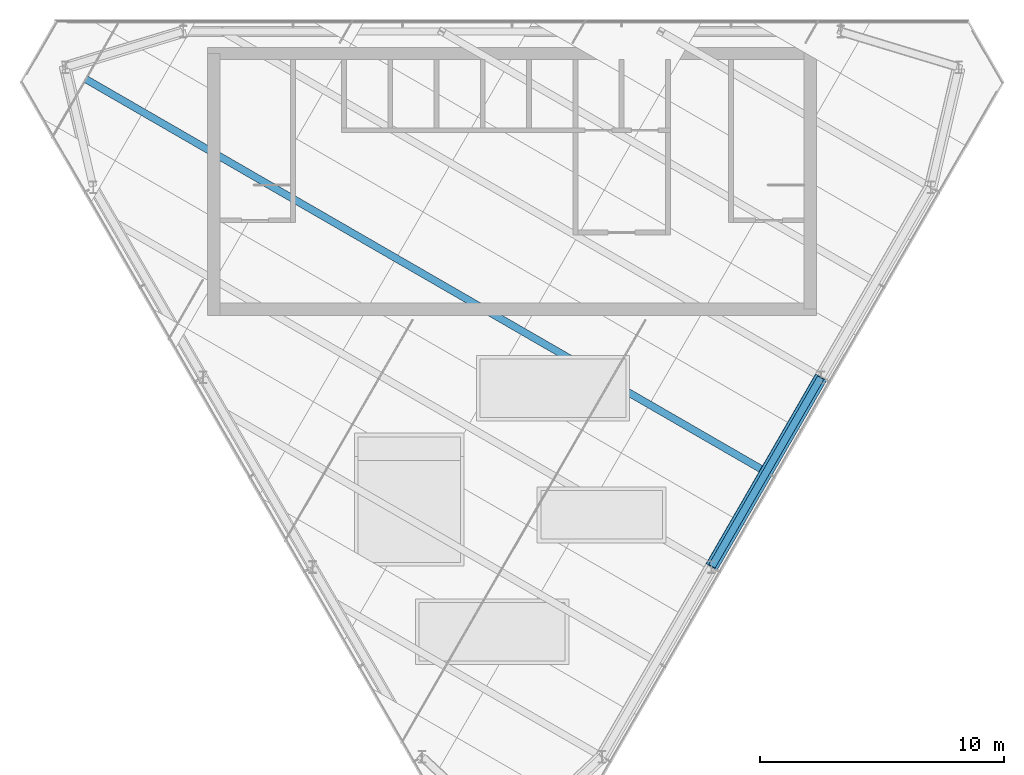
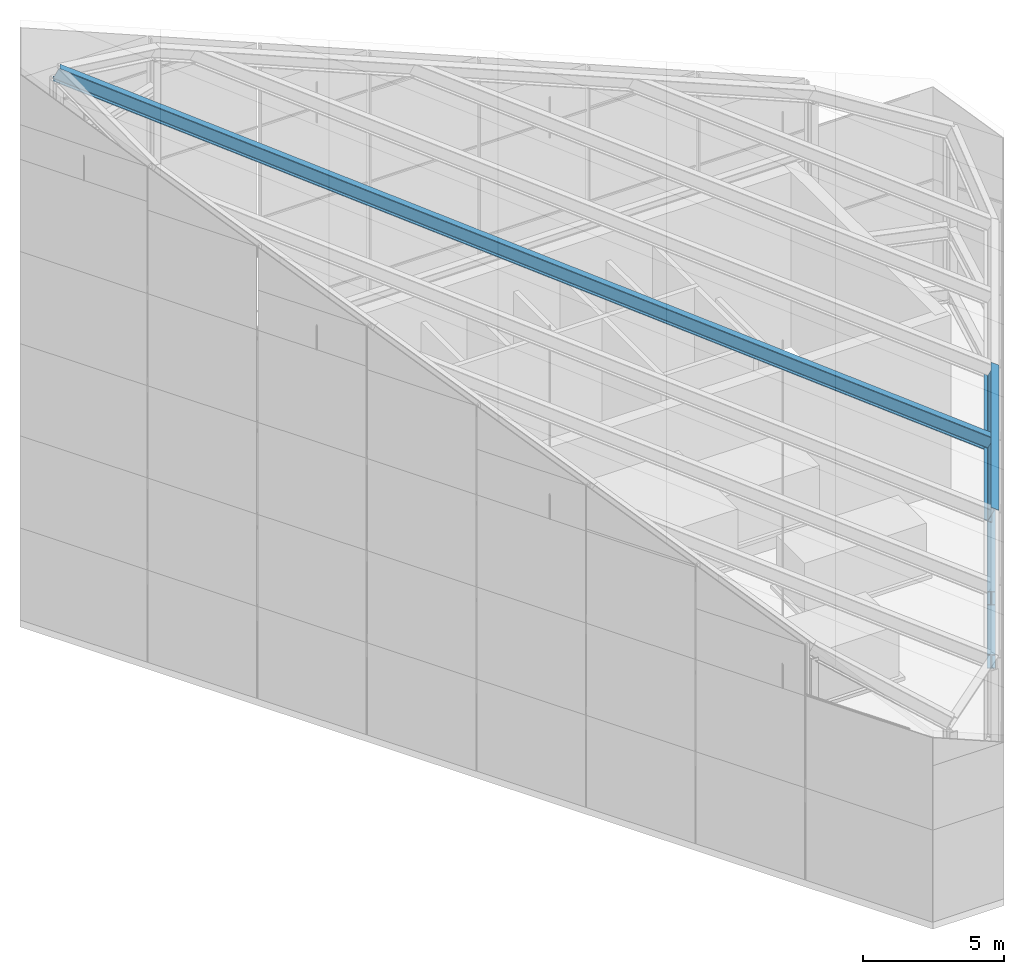
# One storey, part 5 of 16: 2 beams, 2 members.
"""IFC4 building model written with IfcOpenShell, lengths in metres."""

from ifc_helpers import new_model, si_unit, direction, frame, origin, origin_2d, place, context, subcontext, project, spatial, i_section, extrude, material, material_profile, profile_set, type_object, element, save


model = new_model("IFC4")

# Units and contexts
model_context = context("Model", 3, precision=1e-05, world=origin(), true_north=direction((0.0, 1.0)))
body_context = subcontext(model_context, "Body", "Model", "MODEL_VIEW")
ifc_project = project(units=[si_unit("LENGTHUNIT", "METRE"), si_unit("AREAUNIT", "SQUARE_METRE"), si_unit("VOLUMEUNIT", "CUBIC_METRE"), si_unit("PLANEANGLEUNIT", "RADIAN"), si_unit("MASSUNIT", "GRAM", prefix="KILO")], contexts=[model_context])

# Site, building, storey
site_placement = place(None, origin())
site = spatial("IfcSite", under=ifc_project, at=site_placement, CompositionType="ELEMENT")
building_placement = place(site_placement, origin())
building = spatial("IfcBuilding", under=site, at=building_placement, Name="Altiplano Prism Tower", CompositionType="ELEMENT")
storey_placement = place(building_placement, frame((0.0, 0.0, 358.0)))
storey = spatial("IfcBuildingStorey", under=building, at=storey_placement, Name="Crown", CompositionType="ELEMENT", Elevation=358.0)

# Members
ifc_material = material(Name="Steel S355", Category="steel")
ifc_material_profile_1 = material_profile(ifc_material, i_section(OverallWidth=0.300048828125, OverallDepth=0.60009765625, WebThickness=0.015380859375, FlangeThickness=0.030029296875, FilletRadius=0.027099609375, at=origin_2d()), Name="Crown base chord HEB 600")
ifc_profile_set_1 = profile_set([ifc_material_profile_1], Name="Steel S355")
member_type = type_object("IfcMemberType", Name="Crown base chord HEB 600", PredefinedType="CHORD", material=ifc_profile_set_1)
for number, where, z_axis, x_axis, name in (
    (1, (93.207275390625, 82.592529296875, 0.300048828125), (0.500001398157, 0.866024596557, 0.0), (-0.866024596557, 0.500001398157, 0.0), "Crown base ring chord b12"),
    (2, (93.207275390625, 82.592529296875, 3.050048828125), (0.500001398157, 0.866024596557, 0.0), (-0.866024596557, 0.500001398157, 0.0), "Crown base ring chord t12"),
):
    element("IfcMember", number, at=place(storey_placement, frame(where, z_axis=z_axis, x_axis=x_axis)), inside=storey, type_object=member_type, Name=name, PredefinedType="CHORD", context=body_context, shape_type="SweptSolid", body=[
        extrude(i_section(OverallWidth=0.300048828125, OverallDepth=0.60009765625, WebThickness=0.015380859375, FlangeThickness=0.030029296875, FilletRadius=0.027099609375, at=origin_2d()), origin(), (0.0, 0.0, 1.0), 8.93994140625),
    ])

# Beams
ifc_material_profile_2 = material_profile(ifc_material, i_section(OverallWidth=0.300048828125, OverallDepth=0.60009765625, WebThickness=0.015380859375, FlangeThickness=0.030029296875, FilletRadius=0.027099609375, at=origin_2d()), Name="Crown rafter HEB 600")
ifc_profile_set_2 = profile_set([ifc_material_profile_2], Name="Steel S355")
beam_type = type_object("IfcBeamType", Name="Crown rafter HEB 600", PredefinedType="BEAM", material=ifc_profile_set_2)
beam_1_placement = place(storey_placement, frame((93.192138671875, 82.56640625, 6.683837890625), z_axis=(0.5000018851, 0.866024315419, 0.0), x_axis=(-0.779833723479, 0.45023947349, 0.434906633931)))
element("IfcBeam", 3, at=beam_1_placement, inside=storey, type_object=beam_type, Name="Crown rafter ring 12", PredefinedType="BEAM", context=body_context, shape_type="SweptSolid", body=[
    extrude(i_section(OverallWidth=0.300048828125, OverallDepth=0.60009765625, WebThickness=0.015380859375, FlangeThickness=0.030029296875, FilletRadius=0.027099609375, at=origin_2d()), origin(), (0.0, 0.0, 1.0), 9.0),
])
beam_2_placement = place(storey_placement, frame((95.442138671875, 86.463623046875, 6.683837890625), z_axis=(-0.779835546594, 0.450236563126, 0.434906377848), x_axis=(-0.499998584395, -0.866026221083, 0.0)))
element("IfcBeam", 4, at=beam_2_placement, inside=storey, type_object=beam_type, Name="Crown rafter 5", PredefinedType="BEAM", context=body_context, shape_type="SweptSolid", body=[
    extrude(i_section(OverallWidth=0.300048828125, OverallDepth=0.60009765625, WebThickness=0.015380859375, FlangeThickness=0.030029296875, FilletRadius=0.027099609375, at=origin_2d()), origin(), (0.0, 0.0, 1.0), 36.915283203125),
])

save(model, "model.ifc")
